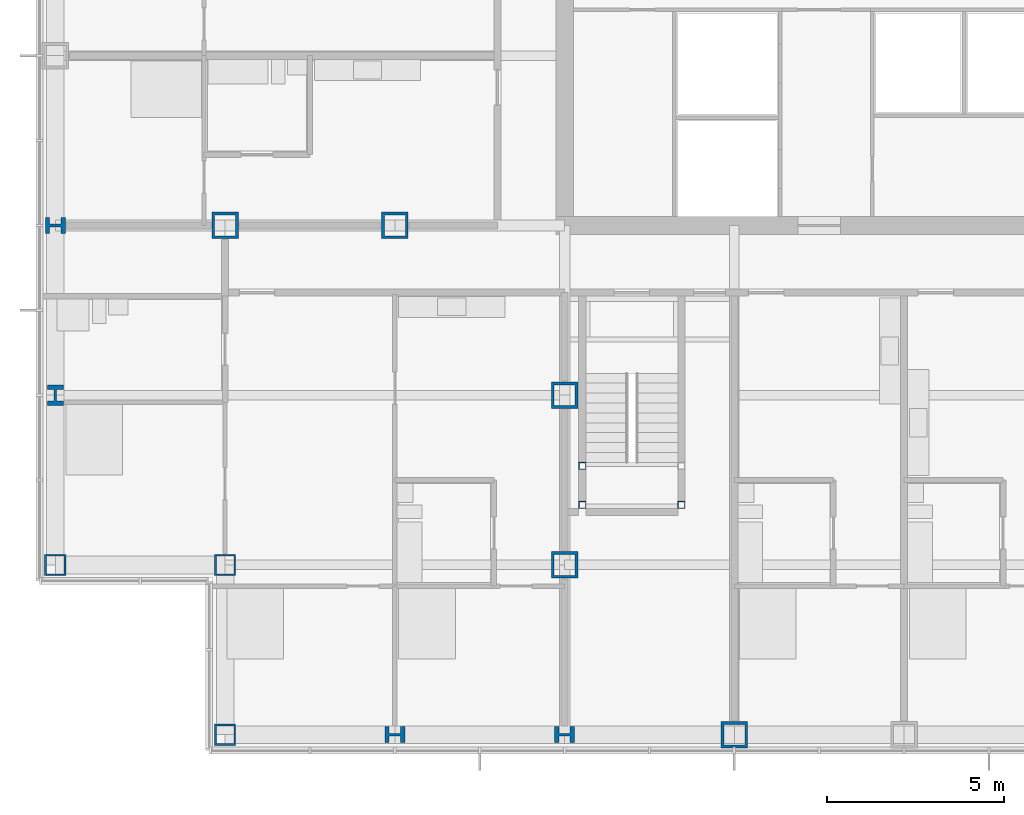
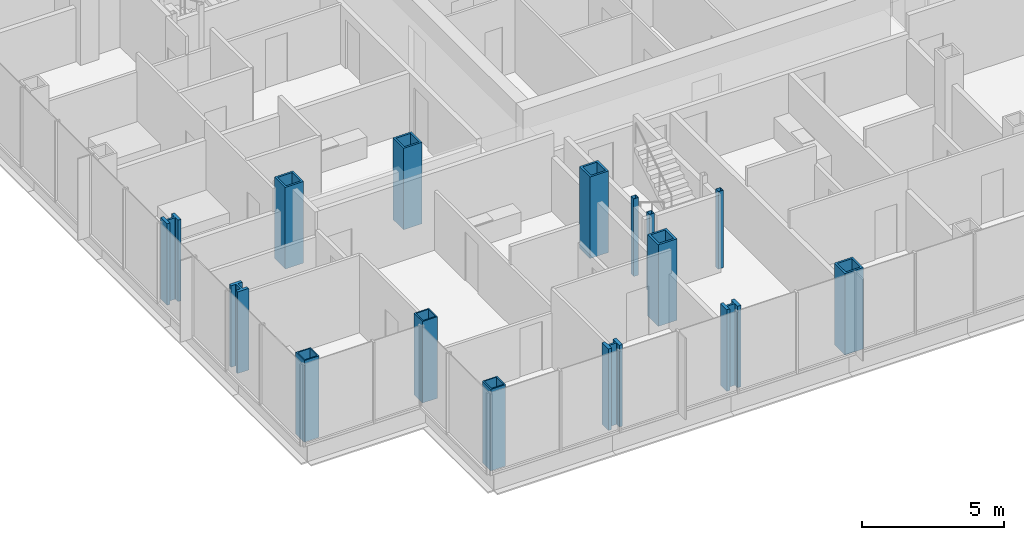
# One storey, part 1 of 21: 15 columns.
"""IFC4 building model written with IfcOpenShell, lengths in metres."""

import ifcopenshell
import ifcopenshell.guid

model = None  # the IFC model being written
_history = None  # IfcOwnerHistory: only IFC2X3 demands one
_inside = {}  # id of a spatial element -> (the spatial element, [elements in it])
_under = {}  # id of a project, library or spatial element -> (it, [spatial elements below it])
_declared = {}  # id of a project -> (the project, [libraries it declares])
_typed = {}  # id of a type object -> (the type object, [elements of that type])
_made_of = {}  # id of a material, layer set ... -> (it, [elements and type objects made of it])


def new_model(schema):
    """Start an empty IFC model of exactly this schema.

    Asked for "IFC4X3", IfcOpenShell would pick the latest addendum, in which some entities
    have other attributes; the version numbers below select the first issue.
    IFC2X3 requires an IfcOwnerHistory on every rooted entity: one is made here for all.
    """
    global model, _history
    if schema == "IFC4X3":
        model = ifcopenshell.file(schema_version=(4, 3, 0, 0))
    else:
        model = ifcopenshell.file(schema=schema)
    _inside.clear()
    _under.clear()
    _declared.clear()
    _typed.clear()
    _made_of.clear()
    _history = None
    if model.schema == "IFC2X3":
        org = make("IfcOrganization", Name="unknown")
        user = make(
            "IfcPersonAndOrganization",
            ThePerson=make("IfcPerson", FamilyName="unknown"),
            TheOrganization=org,
        )
        app = make(
            "IfcApplication",
            ApplicationDeveloper=org,
            Version="unknown",
            ApplicationFullName="unknown",
            ApplicationIdentifier="unknown",
        )
        _history = make(
            "IfcOwnerHistory",
            OwningUser=user,
            OwningApplication=app,
            ChangeAction="ADDED",
            CreationDate=0,
        )
    return model


def make(cls, **values):
    """One entity of the class cls with the attributes given. An attribute that is None is left unset."""
    return model.create_entity(
        cls, **{name: value for name, value in values.items() if value is not None}
    )


def rooted(cls, **values):
    """An entity with a GlobalId (a new one), such as an element, a storey or a relation."""
    return make(cls, GlobalId=ifcopenshell.guid.new(), OwnerHistory=_history, **values)


def si_unit(unit_type, name, prefix=None):
    """IfcSIUnit, for example si_unit("LENGTHUNIT", "METRE", prefix="MILLI")."""
    return make("IfcSIUnit", UnitType=unit_type, Prefix=prefix, Name=name)


def assignment(units):
    """IfcUnitAssignment: the units of a project."""
    return None if units is None else make("IfcUnitAssignment", Units=units)


def point(xyz):
    """IfcCartesianPoint."""
    return None if xyz is None else make("IfcCartesianPoint", Coordinates=xyz)


def direction(xyz):
    """IfcDirection."""
    return None if xyz is None else make("IfcDirection", DirectionRatios=xyz)


def frame(location, z_axis=None, x_axis=None):
    """IfcAxis2Placement3D, a coordinate frame: its origin and axes. An axis left out is left unset."""
    return make(
        "IfcAxis2Placement3D",
        Location=point(location),
        Axis=direction(z_axis),
        RefDirection=direction(x_axis),
    )


def frame_2d(location, x_axis=None):
    """IfcAxis2Placement2D, a coordinate frame in the plane: its origin and x axis."""
    return make(
        "IfcAxis2Placement2D", Location=point(location), RefDirection=direction(x_axis)
    )


def origin():
    """The frame at (0, 0, 0) with its axes left unset."""
    return frame((0.0, 0.0, 0.0))


def origin_2d():
    """The frame at (0, 0) in the plane with its x axis left unset."""
    return frame_2d((0.0, 0.0))


def place(relative_to, where):
    """IfcLocalPlacement: puts the frame where relative to a parent placement (None: the world)."""
    return make(
        "IfcLocalPlacement", PlacementRelTo=relative_to, RelativePlacement=where
    )


def context(
    kind, dimensions, precision=None, world=None, true_north=None, identifier=None
):
    """IfcGeometricRepresentationContext, for example the 3D "Model" context."""
    return make(
        "IfcGeometricRepresentationContext",
        ContextIdentifier=identifier,
        ContextType=kind,
        CoordinateSpaceDimension=dimensions,
        Precision=precision,
        WorldCoordinateSystem=world,
        TrueNorth=true_north,
    )


def subcontext(parent, identifier, kind, view, scale=None):
    """IfcGeometricRepresentationSubContext, for example "Body" below "Model"."""
    return make(
        "IfcGeometricRepresentationSubContext",
        ContextIdentifier=identifier,
        ContextType=kind,
        ParentContext=parent,
        TargetScale=scale,
        TargetView=view,
    )


def project(units=None, contexts=None):
    """IfcProject with its units and contexts."""
    return rooted(
        "IfcProject",
        Name="project",
        RepresentationContexts=contexts,
        UnitsInContext=assignment(units),
    )


def spatial(cls, under=None, at=None, **own):
    """A site, building, storey or space (cls), placed at a placement, below another one or the project."""
    s = rooted(cls, ObjectPlacement=at, **own)
    if under is not None:
        _under.setdefault(under.id(), (under, []))[1].append(s)
    return s


def profile(cls, at=None, kind="AREA", **sizes):
    """A parametric profile (cls). Its sizes go by their IFC names, for example OverallWidth=200.0."""
    return make(cls, ProfileType=kind, Position=at, **sizes)


def hollow_rectangle(**sizes):
    """IfcRectangleHollowProfileDef."""
    return profile("IfcRectangleHollowProfileDef", **sizes)


def i_section(**sizes):
    """IfcIShapeProfileDef."""
    return profile("IfcIShapeProfileDef", **sizes)


def extrude(swept, where, along, depth):
    """IfcExtrudedAreaSolid: the profile swept, set in the frame where, extruded along a direction by depth."""
    return make(
        "IfcExtrudedAreaSolid",
        SweptArea=swept,
        Position=where,
        ExtrudedDirection=direction(along),
        Depth=depth,
    )


def shape(context_of_items, identifier, shape_type, items):
    """IfcShapeRepresentation: the items that make up one representation, for example the "Body"."""
    return make(
        "IfcShapeRepresentation",
        ContextOfItems=context_of_items,
        RepresentationIdentifier=identifier,
        RepresentationType=shape_type,
        Items=items,
    )


def material(Name=None, Category=None):
    """IfcMaterial."""
    return make("IfcMaterial", Name=Name, Category=Category)


def material_profile(
    of_material, cross_section, Name=None, Category=None, Priority=None
):
    """IfcMaterialProfile: a cross section and its material."""
    return make(
        "IfcMaterialProfile",
        Name=Name,
        Material=of_material,
        Profile=cross_section,
        Priority=Priority,
        Category=Category,
    )


def profile_set(profiles, Name=None, composite=None):
    """IfcMaterialProfileSet."""
    return make(
        "IfcMaterialProfileSet",
        Name=Name,
        MaterialProfiles=profiles,
        CompositeProfile=composite,
    )


def made_of(thing, what):
    """Note that an element or type object is made of a material, layer set ...; save() writes the relation."""
    if what is not None:
        _made_of.setdefault(what.id(), (what, []))[1].append(thing)
    return thing


def type_object(cls, material=None, **own):
    """A type object (cls), such as IfcWallType, which elements share."""
    return made_of(rooted(cls, **own), material)


def element(
    cls,
    number,
    at=None,
    inside=None,
    cuts=None,
    type_object=None,
    material=None,
    context=None,
    identifier="Body",
    shape_type=None,
    held_by="IfcProductDefinitionShape",
    body=None,
    shapes=None,
    **own,
):
    """One element of the class cls, such as IfcWall. Its Tag is "e" and its number.

    at: its placement. inside: the storey or other place that contains it. cuts: it is an
    opening in that element (IfcRelVoidsElement). A single representation is given by context,
    identifier, shape_type and body (its items); several are given by shapes. held_by: the class
    of the entity that holds the representations. save() writes the other relations.
    """
    e = rooted(cls, Tag="e%d" % number, ObjectPlacement=at, **own)
    if body is not None:
        shapes = [shape(context, identifier, shape_type, body)]
    if shapes is not None:
        e.Representation = make(held_by, Representations=shapes)
    if inside is not None:
        _inside.setdefault(inside.id(), (inside, []))[1].append(e)
    if cuts is not None:
        rooted(
            "IfcRelVoidsElement", RelatingBuildingElement=cuts, RelatedOpeningElement=e
        )
    if type_object is not None:
        _typed.setdefault(type_object.id(), (type_object, []))[1].append(e)
    return made_of(e, material)


def aggregate(whole, parts):
    """IfcRelAggregates: a whole, such as a stair, and the parts it consists of."""
    return rooted("IfcRelAggregates", RelatingObject=whole, RelatedObjects=parts)


def save(model, path):
    """Write the relations noted so far, then the file.

    IfcRelAggregates (storeys below a building ...), IfcRelContainedInSpatialStructure (elements
    in a storey), IfcRelDefinesByType, IfcRelAssociatesMaterial and IfcRelDeclares: one each for
    every whole, place, type object, material and project.
    """
    for whole, parts in _under.values():
        aggregate(whole, parts)
    for where, things in _inside.values():
        rooted(
            "IfcRelContainedInSpatialStructure",
            RelatedElements=things,
            RelatingStructure=where,
        )
    for kind, things in _typed.values():
        rooted("IfcRelDefinesByType", RelatedObjects=things, RelatingType=kind)
    for what, things in _made_of.values():
        rooted("IfcRelAssociatesMaterial", RelatedObjects=things, RelatingMaterial=what)
    for by, libraries in _declared.values():
        rooted("IfcRelDeclares", RelatingContext=by, RelatedDefinitions=libraries)
    model.write(path)


model = new_model("IFC4")

# Units and contexts
model_context = context("Model", 3, precision=1e-05, world=origin(), true_north=direction((0.0, 1.0)))
body_context = subcontext(model_context, "Body", "Model", "MODEL_VIEW")
ifc_project = project(units=[si_unit("LENGTHUNIT", "METRE"), si_unit("AREAUNIT", "SQUARE_METRE"), si_unit("VOLUMEUNIT", "CUBIC_METRE"), si_unit("PLANEANGLEUNIT", "RADIAN"), si_unit("MASSUNIT", "GRAM", prefix="KILO")], contexts=[model_context])

# Site, building, storey
site_placement = place(None, origin())
site = spatial("IfcSite", under=ifc_project, at=site_placement, CompositionType="ELEMENT")
building_placement = place(site_placement, origin())
building = spatial("IfcBuilding", under=site, at=building_placement, Name="Kvirike Care Tower", CompositionType="ELEMENT")
storey_placement = place(building_placement, frame((0.0, 0.0, 51.5)))
storey = spatial("IfcBuildingStorey", under=building, at=storey_placement, Name="L13", CompositionType="ELEMENT", Elevation=51.5)

# Columns
ifc_material_1 = material(Name="Steel S460", Category="steel")
ifc_material_profile_1 = material_profile(ifc_material_1, hollow_rectangle(XDim=0.60009765625, YDim=0.60009765625, WallThickness=0.050048828125, at=origin_2d()), Name="BX 600x600x50")
ifc_profile_set_1 = profile_set([ifc_material_profile_1], Name="Steel S460")
column_type_1 = type_object("IfcColumnType", Name="COLUMN BX 600x600x50", PredefinedType="COLUMN", material=ifc_profile_set_1)
for number, where, z_axis, x_axis, name in (
    (1, (0.0, 19.199951171875, 0.0), (0.0, 0.0, 1.0), (0.0, 1.0, 0.0), "Column E3 L13"),
    (2, (4.800048828125, 14.39990234375, 0.0), (0.0, 0.0, 1.0), (0.0, 1.0, 0.0), "Column D4 L13"),
    (3, (4.800048828125, 19.199951171875, 0.0), (0.0, 0.0, 1.0), (0.0, 1.0, 0.0), "Column E4 L13"),
):
    element("IfcColumn", number, at=place(storey_placement, frame(where, z_axis=z_axis, x_axis=x_axis)), inside=storey, type_object=column_type_1, Name=name, PredefinedType="COLUMN", context=body_context, shape_type="SweptSolid", body=[
        extrude(hollow_rectangle(XDim=0.60009765625, YDim=0.60009765625, WallThickness=0.050048828125, at=origin_2d()), origin(), (0.0, 0.0, 1.0), 3.5),
    ])
ifc_material_2 = material(Name="Steel S460", Category="steel")
ifc_material_profile_2 = material_profile(ifc_material_2, hollow_rectangle(XDim=0.75, YDim=0.75, WallThickness=0.080078125, at=origin_2d()), Name="BX 750x750x80")
ifc_profile_set_2 = profile_set([ifc_material_profile_2], Name="Steel S460")
column_type_2 = type_object("IfcColumnType", Name="COLUMN BX 750x750x80", PredefinedType="COLUMN", material=ifc_profile_set_2)
for number, where, z_axis, x_axis, name in (
    (4, (4.800048828125, 28.800048828125, 0.0), (0.0, 0.0, 1.0), (0.0, 1.0, 0.0), "Column G4 L13"),
    (5, (9.60009765625, 28.800048828125, 0.0), (0.0, 0.0, 1.0), (0.0, 1.0, 0.0), "Column G5 L13"),
    (6, (14.39990234375, 19.199951171875, 0.0), (0.0, 0.0, 1.0), (1.0, 0.0, 0.0), "Column E6 L13"),
    (7, (14.39990234375, 24.0, 0.0), (0.0, 0.0, 1.0), (1.0, 0.0, 0.0), "Column F6 L13"),
    (8, (19.199951171875, 14.39990234375, 0.0), (0.0, 0.0, 1.0), (0.0, 1.0, 0.0), "Column D7 L13"),
):
    element("IfcColumn", number, at=place(storey_placement, frame(where, z_axis=z_axis, x_axis=x_axis)), inside=storey, type_object=column_type_2, Name=name, PredefinedType="COLUMN", context=body_context, shape_type="SweptSolid", body=[
        extrude(hollow_rectangle(XDim=0.75, YDim=0.75, WallThickness=0.080078125, at=origin_2d()), origin(), (0.0, 0.0, 1.0), 3.5),
    ])
ifc_material_3 = material(Name="Steel S460", Category="steel")
ifc_material_profile_3 = material_profile(ifc_material_3, i_section(OverallWidth=0.4541015625, OverallDepth=0.569091796875, WebThickness=0.077880859375, FlangeThickness=0.125, FilletRadius=0.014892578125, at=origin_2d()), Name="HD 400x1086")
ifc_profile_set_3 = profile_set([ifc_material_profile_3], Name="Steel S460")
column_type_3 = type_object("IfcColumnType", Name="COLUMN HD 400x1086", PredefinedType="COLUMN", material=ifc_profile_set_3)
for number, where, z_axis, x_axis, name in (
    (9, (0.0, 24.0, 0.0), (0.0, 0.0, 1.0), (1.0, 0.0, 0.0), "Column F3 L13"),
    (10, (0.0, 28.800048828125, 0.0), (0.0, 0.0, 1.0), (0.0, 1.0, 0.0), "Column G3 L13"),
    (11, (9.60009765625, 14.39990234375, 0.0), (0.0, 0.0, 1.0), (0.0, 1.0, 0.0), "Column D5 L13"),
    (12, (14.39990234375, 14.39990234375, 0.0), (0.0, 0.0, 1.0), (0.0, 1.0, 0.0), "Column D6 L13"),
):
    element("IfcColumn", number, at=place(storey_placement, frame(where, z_axis=z_axis, x_axis=x_axis)), inside=storey, type_object=column_type_3, Name=name, PredefinedType="COLUMN", context=body_context, shape_type="SweptSolid", body=[
        extrude(i_section(OverallWidth=0.4541015625, OverallDepth=0.569091796875, WebThickness=0.077880859375, FlangeThickness=0.125, FilletRadius=0.014892578125, at=origin_2d()), origin(), (0.0, 0.0, 1.0), 3.5),
    ])
ifc_material_4 = material(Name="Steel S460", Category="steel")
ifc_material_profile_4 = material_profile(ifc_material_4, hollow_rectangle(XDim=0.199951171875, YDim=0.199951171875, WallThickness=0.008056640625, at=origin_2d()), Name="SHS 200x200x8")
ifc_profile_set_4 = profile_set([ifc_material_profile_4], Name="Steel S460")
column_type_4 = type_object("IfcColumnType", Name="STAIR POST SHS 200x200x8", PredefinedType="COLUMN", material=ifc_profile_set_4)
for number, where, z_axis, x_axis, name in (
    (13, (14.89990234375, 20.89990234375, 0.0), (0.0, 0.0, 1.0), (1.0, 0.0, 0.0), "Stair 5 post 1 L13"),
    (14, (17.699951171875, 20.89990234375, 0.0), (0.0, 0.0, 1.0), (1.0, 0.0, 0.0), "Stair 5 post 2 L13"),
    (15, (14.89990234375, 22.0, 0.0), (0.0, 0.0, 1.0), (1.0, 0.0, 0.0), "Stair 5 post 3 L13"),
):
    element("IfcColumn", number, at=place(storey_placement, frame(where, z_axis=z_axis, x_axis=x_axis)), inside=storey, type_object=column_type_4, Name=name, PredefinedType="COLUMN", context=body_context, shape_type="SweptSolid", body=[
        extrude(hollow_rectangle(XDim=0.199951171875, YDim=0.199951171875, WallThickness=0.008056640625, at=origin_2d()), origin(), (0.0, 0.0, 1.0), 3.330078125),
    ])

save(model, "model.ifc")
